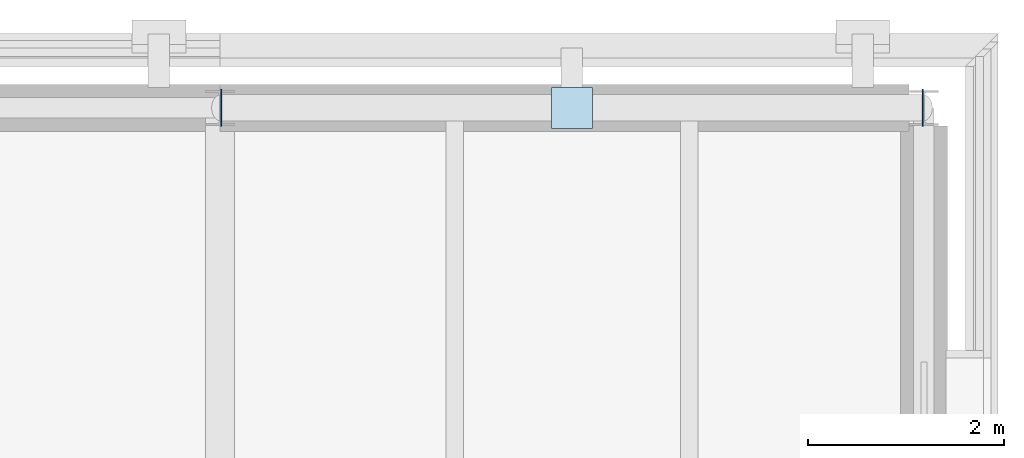
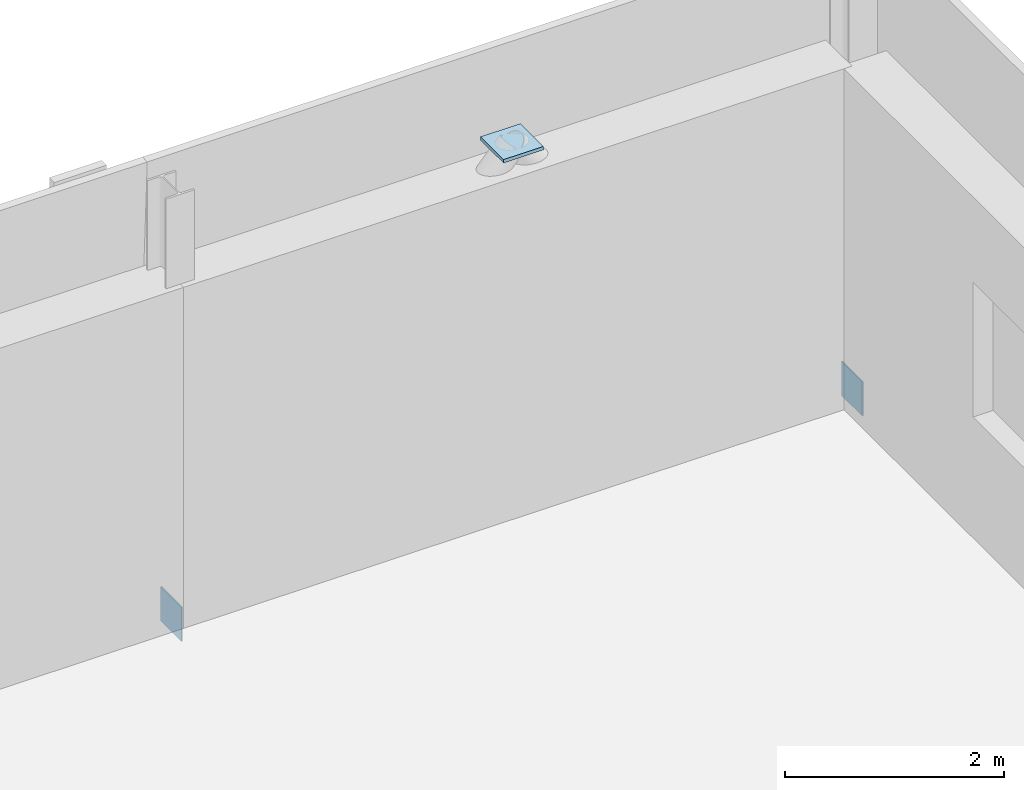
# One storey, part 73 of 121: 3 plates.
"""IFC4 building model written with IfcOpenShell, lengths in metres."""

from ifc_helpers import new_model, si_unit, direction, frame, origin, origin_2d, place, context, subcontext, project, spatial, rectangle, extrude, material, layer, layer_set, type_object, element, save


model = new_model("IFC4")

# Units and contexts
model_context = context("Model", 3, precision=1e-05, world=origin(), true_north=direction((0.0, 1.0)))
body_context = subcontext(model_context, "Body", "Model", "MODEL_VIEW")
ifc_project = project(units=[si_unit("LENGTHUNIT", "METRE"), si_unit("AREAUNIT", "SQUARE_METRE"), si_unit("VOLUMEUNIT", "CUBIC_METRE"), si_unit("PLANEANGLEUNIT", "RADIAN"), si_unit("MASSUNIT", "GRAM", prefix="KILO")], contexts=[model_context])

# Site, building, storey
site_placement = place(None, origin())
site = spatial("IfcSite", under=ifc_project, at=site_placement, CompositionType="ELEMENT")
building_placement = place(site_placement, origin())
building = spatial("IfcBuilding", under=site, at=building_placement, Name="Narikvali Park Central Library", CompositionType="ELEMENT")
storey_placement = place(building_placement, frame((0.0, 0.0, 5.39990234375)))
storey = spatial("IfcBuildingStorey", under=building, at=storey_placement, Name="L01", CompositionType="ELEMENT", Elevation=5.39990234375)

# Plates
ifc_material = material(Name="Steel S355", Category="steel")
ifc_layer_1 = layer(ifc_material, 0.013916015625, Name="Steel S355")
ifc_layer_set_1 = layer_set([ifc_layer_1], Name="Steel S355")
plate_type_1 = type_object("IfcPlateType", Name="Steel Hollow End Cap Plate 14", PredefinedType="SHEET", material=ifc_layer_set_1)
for number, where, z_axis, x_axis, name in (
    (1, (158.412353515625, 115.199951171875, -0.177734375), (0.0, 0.0, 1.0), (-1.0, 0.0, 0.0), "Hollow Section Steel End Cap BR-ECAP-5-L01-A0"),
    (2, (165.587646484375, 115.199951171875, -0.177734375), (0.0, 0.0, 1.0), (1.0, 0.0, 0.0), "Hollow Section Steel End Cap BR-ECAP-5-L01-B0"),
):
    element("IfcPlate", number, at=place(storey_placement, frame(where, z_axis=z_axis, x_axis=x_axis)), inside=storey, type_object=plate_type_1, Name=name, PredefinedType="SHEET", context=body_context, shape_type="SweptSolid", body=[
        extrude(rectangle(XDim=0.013916015625, YDim=0.3798828125, at=origin_2d()), origin(), (0.0, 0.0, 1.0), 0.3798828125),
    ])
ifc_layer_2 = layer(ifc_material, 0.0380859375, Name="Steel S355")
ifc_layer_set_2 = layer_set([ifc_layer_2], Name="Steel S355")
plate_type_2 = type_object("IfcPlateType", Name="Truss Splice Gusset Plate 38", PredefinedType="SHEET", material=ifc_layer_set_2)
plate_placement = place(storey_placement, frame((162.0, 115.199951171875, 3.98095703125), z_axis=(0.0, 0.0, 1.0), x_axis=(1.0, 0.0, 0.0)))
element("IfcPlate", 3, at=plate_placement, inside=storey, type_object=plate_type_2, Name="V3 L01 Chevron Apex Gusset Cap Plate", PredefinedType="SHEET", context=body_context, shape_type="SweptSolid", body=[
    extrude(rectangle(XDim=0.419921875, YDim=0.419921875, at=origin_2d()), origin(), (0.0, 0.0, 1.0), 0.0380859375),
])

save(model, "model.ifc")
